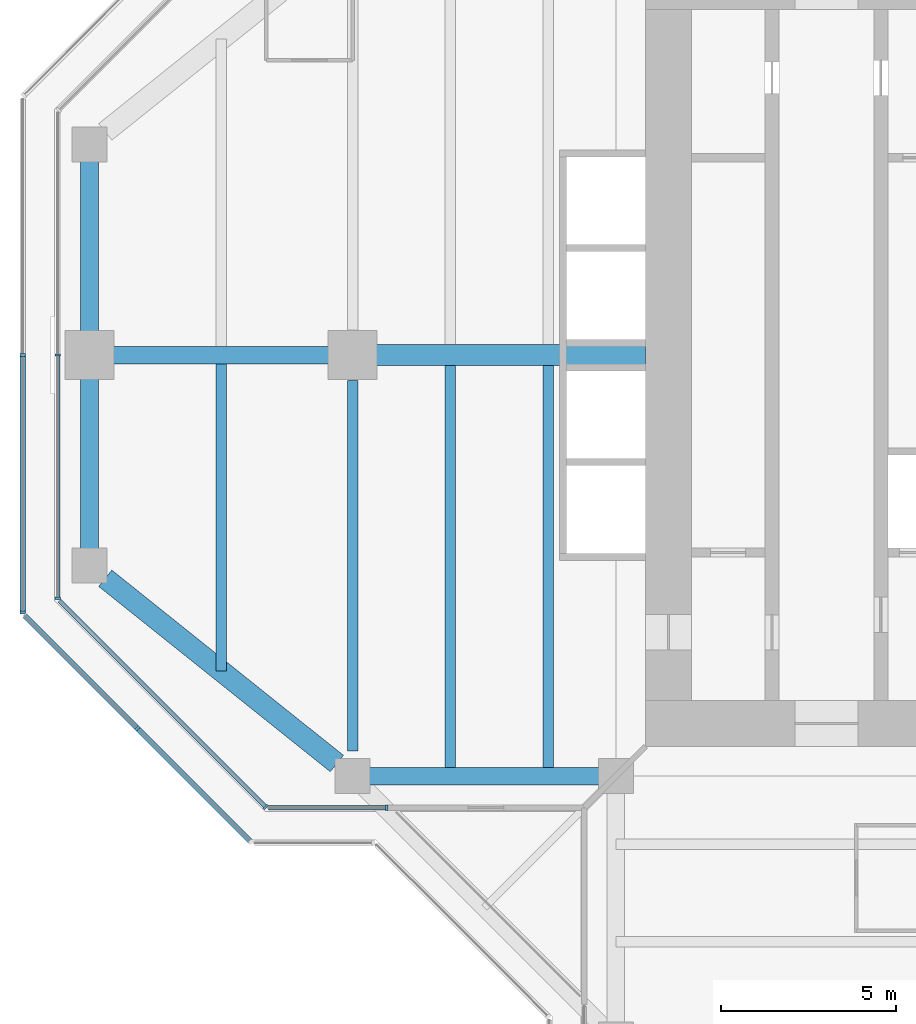
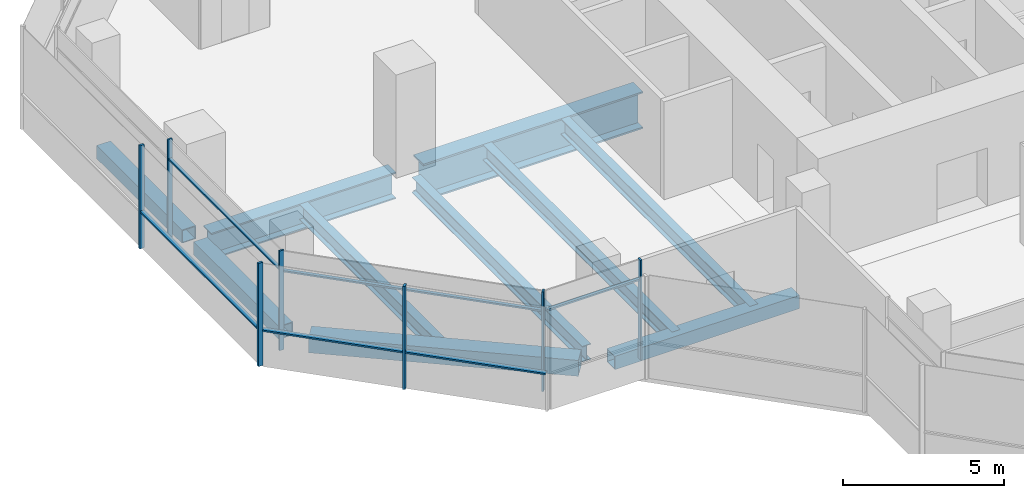
# One storey, part 3 of 15: 13 members, 10 beams, 5 elements without a shape of their own.
"""IFC4 building model written with IfcOpenShell, lengths in metres."""

from ifc_helpers import new_model, si_unit, direction, frame, origin, origin_2d, place, context, subcontext, project, spatial, rectangle, hollow_rectangle, i_section, extrude, material, material_profile, profile_set, type_object, element, aggregate, save


model = new_model("IFC4")

# Units and contexts
model_context = context("Model", 3, precision=1e-05, world=origin(), true_north=direction((0.0, 1.0)))
body_context = subcontext(model_context, "Body", "Model", "MODEL_VIEW")
ifc_project = project(units=[si_unit("LENGTHUNIT", "METRE"), si_unit("AREAUNIT", "SQUARE_METRE"), si_unit("VOLUMEUNIT", "CUBIC_METRE"), si_unit("PLANEANGLEUNIT", "RADIAN"), si_unit("MASSUNIT", "GRAM", prefix="KILO")], contexts=[model_context])

# Site, building, storey
site_placement = place(None, origin())
site = spatial("IfcSite", under=ifc_project, at=site_placement, CompositionType="ELEMENT")
building_placement = place(site_placement, origin())
building = spatial("IfcBuilding", under=site, at=building_placement, Name="Mizan Broadcast Tower", CompositionType="ELEMENT")
storey_placement = place(building_placement, frame((0.0, 0.0, 267.300048828125)))
storey = spatial("IfcBuildingStorey", under=building, at=storey_placement, Name="L63", CompositionType="ELEMENT", Elevation=267.300048828125)

# Beams
ifc_material_1 = material(Name="Steel S355", Category="steel")
ifc_material_profile_1 = material_profile(ifc_material_1, hollow_rectangle(XDim=0.5, YDim=0.5, WallThickness=0.030029296875, at=origin_2d()), Name="BOX 500x500x30")
ifc_profile_set_1 = profile_set([ifc_material_profile_1], Name="Steel S355")
beam_type_1 = type_object("IfcBeamType", Name="EDGE BEAM BOX 500x500x30", PredefinedType="SPANDREL", material=ifc_profile_set_1)
beam_1_placement = place(storey_placement, frame((-27.0, 5.639892578125, -0.380126953125), z_axis=(0.0, -1.0, 0.0), x_axis=(1.0, 0.0, 0.0)))
element("IfcBeam", 1, at=beam_1_placement, inside=storey, type_object=beam_type_1, Name="Edge beam BOX 500x500x30 L63 west arm", PredefinedType="SPANDREL", context=body_context, shape_type="SweptSolid", body=[
    extrude(hollow_rectangle(XDim=0.5, YDim=0.5, WallThickness=0.030029296875, at=origin_2d()), origin(), (0.0, 0.0, 1.0), 5.27978515625),
])
beam_2_placement = place(storey_placement, frame((-12.449951171875, -12.0, -0.380126953125), z_axis=(-1.0, 0.0, 0.0), x_axis=(0.0, -1.0, 0.0)))
element("IfcBeam", 2, at=beam_2_placement, inside=storey, type_object=beam_type_1, Name="Edge beam BOX 500x500x30 L63 west arm", PredefinedType="SPANDREL", context=body_context, shape_type="SweptSolid", body=[
    extrude(hollow_rectangle(XDim=0.5, YDim=0.5, WallThickness=0.030029296875, at=origin_2d()), origin(), (0.0, 0.0, 1.0), 6.60009765625),
])
beam_3_placement = place(storey_placement, frame((-27.0, -5.639892578125, -0.380126953125), z_axis=(0.0, 1.0, 0.0), x_axis=(-1.0, 0.0, 0.0)))
element("IfcBeam", 3, at=beam_3_placement, inside=storey, type_object=beam_type_1, Name="Edge beam BOX 500x500x30 L63 west arm", PredefinedType="SPANDREL", context=body_context, shape_type="SweptSolid", body=[
    extrude(hollow_rectangle(XDim=0.5, YDim=0.5, WallThickness=0.030029296875, at=origin_2d()), origin(), (0.0, 0.0, 1.0), 5.27978515625),
])
ifc_material_2 = material(Name="Steel S355", Category="steel")
ifc_material_profile_2 = material_profile(ifc_material_2, hollow_rectangle(XDim=0.60009765625, YDim=0.60009765625, WallThickness=0.030029296875, at=origin_2d()), Name="BOX 600x600x30")
ifc_profile_set_2 = profile_set([ifc_material_profile_2], Name="Steel S355")
beam_type_2 = type_object("IfcBeamType", Name="EDGE BEAM BOX 600x600x30", PredefinedType="SPANDREL", material=ifc_profile_set_2)
beam_4_placement = place(storey_placement, frame((-19.949951171875, -11.639892578125, -0.429931640625), z_axis=(-0.780885717636, 0.624673911726, 0.0), x_axis=(-0.624673911726, -0.780885717636, 0.0)))
element("IfcBeam", 4, at=beam_4_placement, inside=storey, type_object=beam_type_2, Name="Edge beam BOX 600x600x30 L63 west arm", PredefinedType="SPANDREL", context=body_context, shape_type="SweptSolid", body=[
    extrude(hollow_rectangle(XDim=0.60009765625, YDim=0.60009765625, WallThickness=0.030029296875, at=origin_2d()), origin(), (0.0, 0.0, 1.0), 8.4521484375),
])
ifc_material_3 = material(Name="Steel S355", Category="steel")
ifc_material_profile_3 = material_profile(ifc_material_3, i_section(OverallWidth=0.300048828125, OverallDepth=0.590087890625, WebThickness=0.012939453125, FlangeThickness=0.02490234375, FilletRadius=0.027099609375, at=origin_2d()), Name="HEA 600")
ifc_profile_set_3 = profile_set([ifc_material_profile_3], Name="Steel S355")
beam_type_3 = type_object("IfcBeamType", Name="GIRDER HEA 600", PredefinedType="BEAM", material=ifc_profile_set_3)
beam_5_placement = place(storey_placement, frame((-19.5, -11.280029296875, -0.425048828125), z_axis=(0.0, 1.0, 0.0), x_axis=(-1.0, 0.0, 0.0)))
element("IfcBeam", 5, at=beam_5_placement, inside=storey, type_object=beam_type_3, Name="Girder HEA 600 L63 west arm", PredefinedType="BEAM", context=body_context, shape_type="SweptSolid", body=[
    extrude(i_section(OverallWidth=0.300048828125, OverallDepth=0.590087890625, WebThickness=0.012939453125, FlangeThickness=0.02490234375, FilletRadius=0.027099609375, at=origin_2d()), origin(), (0.0, 0.0, 1.0), 10.56005859375),
])
ifc_material_4 = material(Name="Steel S460", Category="steel")
ifc_material_profile_4 = material_profile(ifc_material_4, i_section(OverallWidth=0.5, OverallDepth=1.0, WebThickness=0.02490234375, FlangeThickness=0.050048828125, at=origin_2d()), Name="WPG 1000x500")
ifc_profile_set_4 = profile_set([ifc_material_profile_4], Name="Steel S460")
beam_type_4 = type_object("IfcBeamType", Name="GIRDER WPG 1000x500", PredefinedType="BEAM", material=ifc_profile_set_4)
beam_6_placement = place(storey_placement, frame((-19.949951171875, 0.0, -0.630126953125), z_axis=(-1.0, 0.0, 0.0), x_axis=(0.0, -1.0, 0.0)))
element("IfcBeam", 6, at=beam_6_placement, inside=storey, type_object=beam_type_4, Name="Girder WPG 1000x500 L63 west arm", PredefinedType="BEAM", context=body_context, shape_type="SweptSolid", body=[
    extrude(i_section(OverallWidth=0.5, OverallDepth=1.0, WebThickness=0.02490234375, FlangeThickness=0.050048828125, at=origin_2d()), origin(), (0.0, 0.0, 1.0), 6.60009765625),
])
ifc_material_5 = material(Name="Steel S460", Category="steel")
ifc_material_profile_5 = material_profile(ifc_material_5, i_section(OverallWidth=0.60009765625, OverallDepth=1.39990234375, WebThickness=0.02490234375, FlangeThickness=0.06005859375, at=origin_2d()), Name="WPG 1400x600")
ifc_profile_set_5 = profile_set([ifc_material_profile_5], Name="Steel S460")
beam_type_5 = type_object("IfcBeamType", Name="GIRDER WPG 1400x600", PredefinedType="BEAM", material=ifc_profile_set_5)
beam_7_placement = place(storey_placement, frame((-11.14990234375, 0.0, -0.830078125), z_axis=(-1.0, 0.0, 0.0), x_axis=(0.0, -1.0, 0.0)))
element("IfcBeam", 7, at=beam_7_placement, inside=storey, type_object=beam_type_5, Name="Girder WPG 1400x600 L63 west arm", PredefinedType="BEAM", context=body_context, shape_type="SweptSolid", body=[
    extrude(i_section(OverallWidth=0.60009765625, OverallDepth=1.39990234375, WebThickness=0.02490234375, FlangeThickness=0.06005859375, at=origin_2d()), origin(), (0.0, 0.0, 1.0), 7.84912109375),
])

# Curtain wall, members
ifc_material_6 = material(Name="Aluminium framed glazing", Category="aluminium")
curtain_wall_type_1 = type_object("IfcCurtainWallType", Name="INNER SKIN TOP ZONE", PredefinedType="USERDEFINED", material=ifc_material_6)
curtain_wall_1_placement = place(storey_placement, origin())
curtain_wall_1 = element("IfcCurtainWall", 8, at=curtain_wall_1_placement, inside=storey, type_object=curtain_wall_type_1, Name="Inner skin top zone L63 W end", ObjectType="INNER SKIN TOP ZONE", PredefinedType="USERDEFINED")
ifc_material_7 = material(Name="Aluminium, pale anodised", Category="aluminium")
ifc_material_profile_6 = material_profile(ifc_material_7, rectangle(XDim=0.159912109375, YDim=0.06005859375, at=origin_2d()), Name="MULLION 160x60")
ifc_profile_set_6 = profile_set([ifc_material_profile_6], Name="Aluminium, pale anodised")
member_type_1 = type_object("IfcMemberType", Name="INNER SKIN MULLION 60x160", PredefinedType="MULLION", material=ifc_profile_set_6)
member_1_placement = place(storey_placement, frame((-27.89990234375, 0.0, 0.0), z_axis=(0.0, 0.0, 1.0), x_axis=(1.0, 0.0, 0.0)))
member_1 = element("IfcMember", 9, at=member_1_placement, type_object=member_type_1, Name="Inner skin top zone L63 W end mullion 2", PredefinedType="MULLION", context=body_context, shape_type="SweptSolid", body=[
    extrude(rectangle(XDim=0.159912109375, YDim=0.06005859375, at=origin_2d()), origin(), (0.0, 0.0, 1.0), 3.77001953125),
])
member_2_placement = place(storey_placement, frame((-27.89990234375, -6.928466796875, 0.0), z_axis=(0.0, 0.0, 1.0), x_axis=(1.0, 0.0, 0.0)))
member_2 = element("IfcMember", 10, at=member_2_placement, type_object=member_type_1, Name="Inner skin top zone L63 W end mullion 3", PredefinedType="MULLION", context=body_context, shape_type="SweptSolid", body=[
    extrude(rectangle(XDim=0.159912109375, YDim=0.06005859375, at=origin_2d()), origin(), (0.0, 0.0, 1.0), 3.77001953125),
])

# Curtain wall, member
curtain_wall_2_placement = place(storey_placement, origin())
curtain_wall_2 = element("IfcCurtainWall", 11, at=curtain_wall_2_placement, inside=storey, type_object=curtain_wall_type_1, Name="Inner skin top zone L63 W chamfer", ObjectType="INNER SKIN TOP ZONE", PredefinedType="USERDEFINED")
member_3_placement = place(storey_placement, frame((-21.979736328125, -12.87890625, 0.0), z_axis=(0.0, 0.0, 1.0), x_axis=(0.707106781187, 0.707106781187, 0.0)))
member_3 = element("IfcMember", 12, at=member_3_placement, type_object=member_type_1, Name="Inner skin top zone L63 W chamfer mullion 2", PredefinedType="MULLION", context=body_context, shape_type="SweptSolid", body=[
    extrude(rectangle(XDim=0.159912109375, YDim=0.06005859375, at=origin_2d()), origin(), (0.0, 0.0, 1.0), 3.77001953125),
])

curtain_wall_3_placement = place(storey_placement, origin())
curtain_wall_3 = element("IfcCurtainWall", 13, at=curtain_wall_3_placement, inside=storey, type_object=curtain_wall_type_1, Name="Inner skin top zone L63 W side", ObjectType="INNER SKIN TOP ZONE", PredefinedType="USERDEFINED")
member_4_placement = place(storey_placement, frame((-18.530029296875, -12.89990234375, 0.0), z_axis=(0.0, 0.0, 1.0), x_axis=(0.0, 1.0, 0.0)))
member_4 = element("IfcMember", 14, at=member_4_placement, type_object=member_type_1, Name="Inner skin top zone L63 W side mullion 2", PredefinedType="MULLION", context=body_context, shape_type="SweptSolid", body=[
    extrude(rectangle(XDim=0.159912109375, YDim=0.06005859375, at=origin_2d()), origin(), (0.0, 0.0, 1.0), 3.77001953125),
])

# Member
ifc_material_8 = material(Name="Aluminium, pale anodised", Category="aluminium")
ifc_material_profile_7 = material_profile(ifc_material_8, rectangle(XDim=0.1201171875, YDim=0.06005859375, at=origin_2d()), Name="TRANSOM 120x60")
ifc_profile_set_7 = profile_set([ifc_material_profile_7], Name="Aluminium, pale anodised")
member_type_2 = type_object("IfcMemberType", Name="INNER SKIN TRANSOM 60x120", PredefinedType="USERDEFINED", material=ifc_profile_set_7)
member_5_placement = place(storey_placement, frame((-27.89990234375, -0.030029296875, 3.030029296875), z_axis=(0.0, -1.0, 0.0), x_axis=(1.0, 0.0, 0.0)))
member_5 = element("IfcMember", 15, at=member_5_placement, type_object=member_type_2, Name="Inner skin top zone L63 W end transom 2.1", ObjectType="TRANSOM", PredefinedType="USERDEFINED", context=body_context, shape_type="SweptSolid", body=[
    extrude(rectangle(XDim=0.1201171875, YDim=0.06005859375, at=origin_2d()), origin(), (0.0, 0.0, 1.0), 6.86865234375),
])

aggregate(curtain_wall_1, [member_1, member_2, member_5])

member_6_placement = place(storey_placement, frame((-27.857666015625, -7.0009765625, 3.030029296875), z_axis=(0.707106781187, -0.707106781187, 0.0), x_axis=(0.707106781187, 0.707106781187, 0.0)))
member_6 = element("IfcMember", 16, at=member_6_placement, type_object=member_type_2, Name="Inner skin top zone L63 W chamfer transom 1.1", ObjectType="TRANSOM", PredefinedType="USERDEFINED", context=body_context, shape_type="SweptSolid", body=[
    extrude(rectangle(XDim=0.1201171875, YDim=0.06005859375, at=origin_2d()), origin(), (0.0, 0.0, 1.0), 8.28271484375),
])

aggregate(curtain_wall_2, [member_3, member_6])

member_7_placement = place(storey_placement, frame((-21.898681640625, -12.89990234375, 3.030029296875), z_axis=(1.0, 0.0, 0.0), x_axis=(0.0, 1.0, 0.0)))
member_7 = element("IfcMember", 17, at=member_7_placement, type_object=member_type_2, Name="Inner skin top zone L63 W side transom 1.1", ObjectType="TRANSOM", PredefinedType="USERDEFINED", context=body_context, shape_type="SweptSolid", body=[
    extrude(rectangle(XDim=0.1201171875, YDim=0.06005859375, at=origin_2d()), origin(), (0.0, 0.0, 1.0), 3.338623046875),
])

aggregate(curtain_wall_3, [member_4, member_7])

# Curtain wall, member
ifc_material_9 = material(Name="Aluminium framed glazing", Category="aluminium")
curtain_wall_type_2 = type_object("IfcCurtainWallType", Name="OUTER SKIN", PredefinedType="USERDEFINED", material=ifc_material_9)
curtain_wall_4_placement = place(storey_placement, origin())
curtain_wall_4 = element("IfcCurtainWall", 18, at=curtain_wall_4_placement, inside=storey, type_object=curtain_wall_type_2, Name="Outer skin L63 W chamfer", ObjectType="OUTER SKIN", PredefinedType="USERDEFINED")
ifc_material_10 = material(Name="Aluminium, pale anodised", Category="aluminium")
ifc_material_profile_8 = material_profile(ifc_material_10, rectangle(XDim=0.159912109375, YDim=0.080078125, at=origin_2d()), Name="MULLION 160x80")
ifc_profile_set_8 = profile_set([ifc_material_profile_8], Name="Aluminium, pale anodised")
member_type_3 = type_object("IfcMemberType", Name="OUTER SKIN MULLION 80x160", PredefinedType="MULLION", material=ifc_profile_set_8)
member_8_placement = place(storey_placement, frame((-25.636474609375, -10.636474609375, 0.0), z_axis=(0.0, 0.0, 1.0), x_axis=(0.707106781187, 0.707106781187, 0.0)))
member_8 = element("IfcMember", 19, at=member_8_placement, type_object=member_type_3, Name="Outer skin L63 W chamfer mullion 2", PredefinedType="MULLION", context=body_context, shape_type="SweptSolid", body=[
    extrude(rectangle(XDim=0.159912109375, YDim=0.080078125, at=origin_2d()), origin(), (0.0, 0.0, 1.0), 3.89990234375),
])

# Curtain wall, members
curtain_wall_5_placement = place(storey_placement, origin())
curtain_wall_5 = element("IfcCurtainWall", 20, at=curtain_wall_5_placement, inside=storey, type_object=curtain_wall_type_2, Name="Outer skin L63 W end", ObjectType="OUTER SKIN", PredefinedType="USERDEFINED")
member_9_placement = place(storey_placement, frame((-28.89990234375, 0.0, 0.0), z_axis=(0.0, 0.0, 1.0), x_axis=(1.0, 0.0, 0.0)))
member_9 = element("IfcMember", 21, at=member_9_placement, type_object=member_type_3, Name="Outer skin L63 W end mullion 2", PredefinedType="MULLION", context=body_context, shape_type="SweptSolid", body=[
    extrude(rectangle(XDim=0.159912109375, YDim=0.080078125, at=origin_2d()), origin(), (0.0, 0.0, 1.0), 3.89990234375),
])
member_10_placement = place(storey_placement, frame((-28.89990234375, -7.332763671875, 0.0), z_axis=(0.0, 0.0, 1.0), x_axis=(1.0, 0.0, 0.0)))
member_10 = element("IfcMember", 22, at=member_10_placement, type_object=member_type_3, Name="Outer skin L63 W end mullion 3", PredefinedType="MULLION", context=body_context, shape_type="SweptSolid", body=[
    extrude(rectangle(XDim=0.159912109375, YDim=0.080078125, at=origin_2d()), origin(), (0.0, 0.0, 1.0), 3.89990234375),
])

# Member
ifc_material_11 = material(Name="Aluminium, pale anodised", Category="aluminium")
ifc_material_profile_9 = material_profile(ifc_material_11, rectangle(XDim=0.159912109375, YDim=0.06005859375, at=origin_2d()), Name="TRANSOM 160x60")
ifc_profile_set_9 = profile_set([ifc_material_profile_9], Name="Aluminium, pale anodised")
member_type_4 = type_object("IfcMemberType", Name="OUTER SKIN TRANSOM 60x160", PredefinedType="USERDEFINED", material=ifc_profile_set_9)
member_11_placement = place(storey_placement, frame((-28.843505859375, -7.429443359375, 1.39990234375), z_axis=(0.707106781187, -0.707106781187, 0.0), x_axis=(0.707106781187, 0.707106781187, 0.0)))
member_11 = element("IfcMember", 23, at=member_11_placement, type_object=member_type_4, Name="Outer skin L63 W chamfer transom 1.1", ObjectType="TRANSOM", PredefinedType="USERDEFINED", context=body_context, shape_type="SweptSolid", body=[
    extrude(rectangle(XDim=0.159912109375, YDim=0.06005859375, at=origin_2d()), origin(), (0.0, 0.0, 1.0), 4.495361328125),
])

member_12_placement = place(storey_placement, frame((-25.608154296875, -10.664794921875, 1.39990234375), z_axis=(0.707106781187, -0.707106781187, 0.0), x_axis=(0.707106781187, 0.707106781187, 0.0)))
member_12 = element("IfcMember", 24, at=member_12_placement, type_object=member_type_4, Name="Outer skin L63 W chamfer transom 2.1", ObjectType="TRANSOM", PredefinedType="USERDEFINED", context=body_context, shape_type="SweptSolid", body=[
    extrude(rectangle(XDim=0.159912109375, YDim=0.06005859375, at=origin_2d()), origin(), (0.0, 0.0, 1.0), 4.495361328125),
])

aggregate(curtain_wall_4, [member_8, member_11, member_12])

member_13_placement = place(storey_placement, frame((-28.89990234375, -0.0400390625, 1.39990234375), z_axis=(0.0, -1.0, 0.0), x_axis=(1.0, 0.0, 0.0)))
member_13 = element("IfcMember", 25, at=member_13_placement, type_object=member_type_4, Name="Outer skin L63 W end transom 2.1", ObjectType="TRANSOM", PredefinedType="USERDEFINED", context=body_context, shape_type="SweptSolid", body=[
    extrude(rectangle(XDim=0.159912109375, YDim=0.06005859375, at=origin_2d()), origin(), (0.0, 0.0, 1.0), 7.252685546875),
])

aggregate(curtain_wall_5, [member_9, member_10, member_13])

# Beams
ifc_material_12 = material(Name="Steel S355", Category="steel")
ifc_material_profile_10 = material_profile(ifc_material_12, i_section(OverallWidth=0.300048828125, OverallDepth=0.590087890625, WebThickness=0.012939453125, FlangeThickness=0.02490234375, FilletRadius=0.027099609375, at=origin_2d()), Name="HEA 600")
ifc_profile_set_10 = profile_set([ifc_material_profile_10], Name="Steel S355")
beam_type_6 = type_object("IfcBeamType", Name="SECONDARY BEAM HEA 600", PredefinedType="JOIST", material=ifc_profile_set_10)
for number, where, z_axis, x_axis, name in (
    (26, (-13.933349609375, -12.0, -0.425048828125), (0.0, 1.0, 0.0), (-1.0, 0.0, 0.0), "Secondary beam HEA 600 L63 west arm"),
    (27, (-16.716552734375, -12.0, -0.425048828125), (0.0, 1.0, 0.0), (-1.0, 0.0, 0.0), "Secondary beam HEA 600 L63 west arm"),
):
    element("IfcBeam", number, at=place(storey_placement, frame(where, z_axis=z_axis, x_axis=x_axis)), inside=storey, type_object=beam_type_6, Name=name, PredefinedType="JOIST", context=body_context, shape_type="SweptSolid", body=[
        extrude(i_section(OverallWidth=0.300048828125, OverallDepth=0.590087890625, WebThickness=0.012939453125, FlangeThickness=0.02490234375, FilletRadius=0.027099609375, at=origin_2d()), origin(), (0.0, 0.0, 1.0), 11.699951171875),
    ])
beam_8_placement = place(storey_placement, frame((-23.25, -9.0, -0.425048828125), z_axis=(0.0, 1.0, 0.0), x_axis=(-1.0, 0.0, 0.0)))
element("IfcBeam", 28, at=beam_8_placement, inside=storey, type_object=beam_type_6, Name="Secondary beam HEA 600 L63 west arm", PredefinedType="JOIST", context=body_context, shape_type="SweptSolid", body=[
    extrude(i_section(OverallWidth=0.300048828125, OverallDepth=0.590087890625, WebThickness=0.012939453125, FlangeThickness=0.02490234375, FilletRadius=0.027099609375, at=origin_2d()), origin(), (0.0, 0.0, 1.0), 8.75),
])

save(model, "model.ifc")
